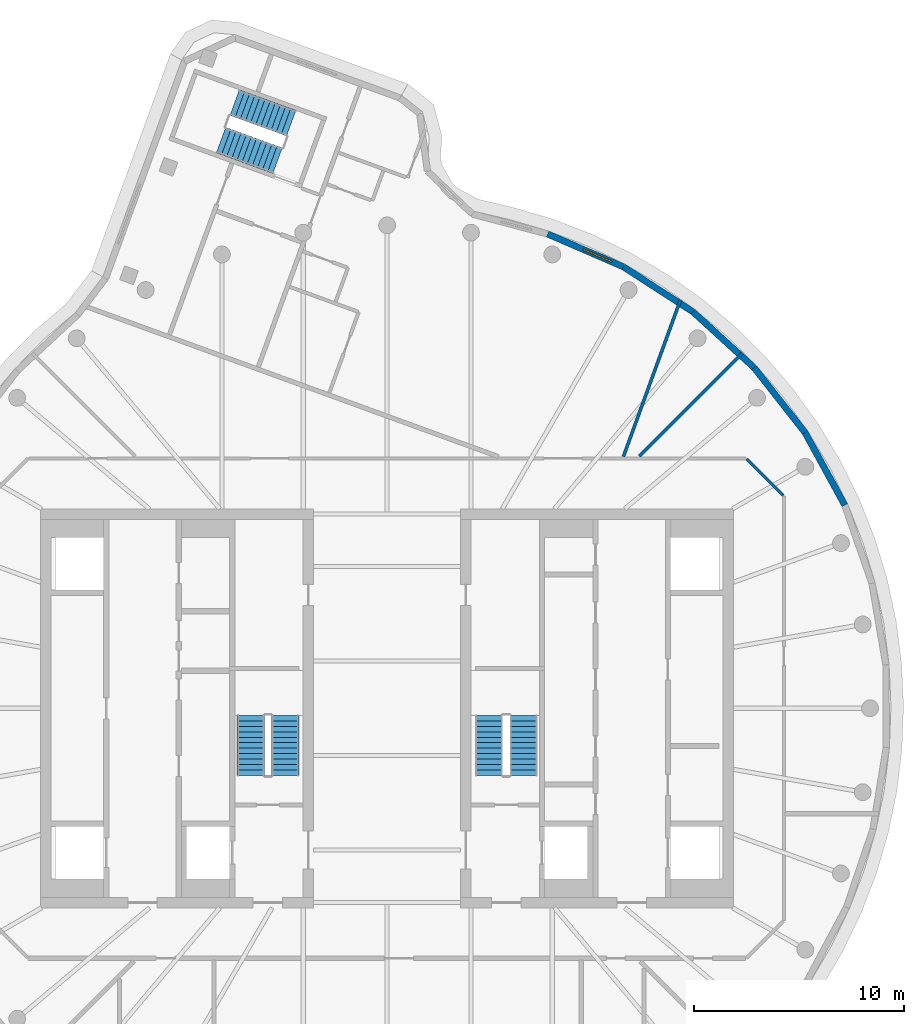
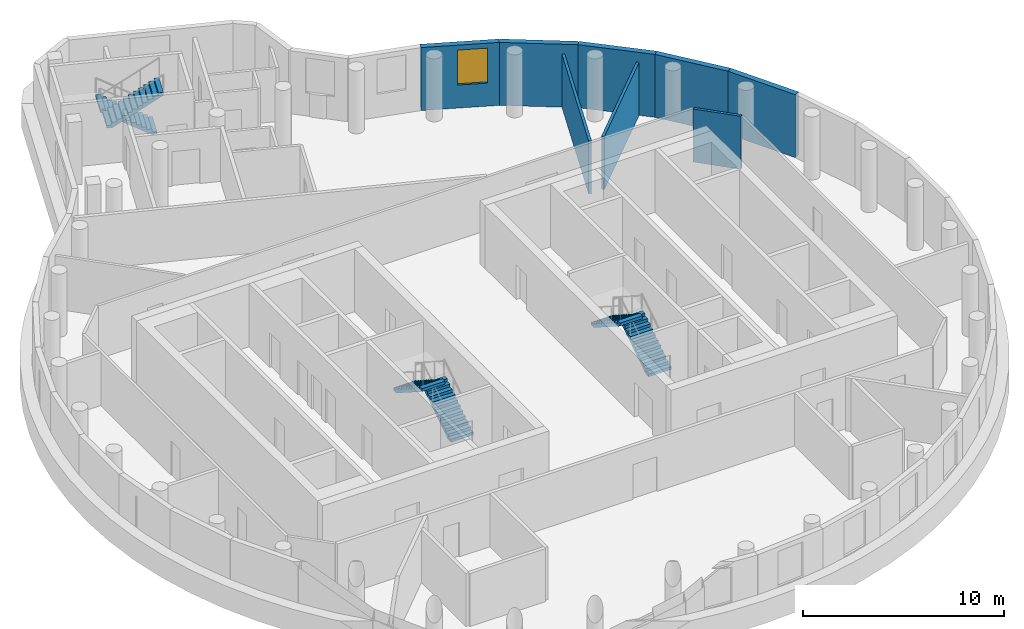
# One storey, part 6 of 7: 8 walls, 6 stair flights, 1 window, 1 opening, 3 elements without a shape of their own.
"""IFC4 building model written with IfcOpenShell, lengths in metres."""

import ifcopenshell
import ifcopenshell.guid

model = None  # the IFC model being written
_history = None  # IfcOwnerHistory: only IFC2X3 demands one
_inside = {}  # id of a spatial element -> (the spatial element, [elements in it])
_under = {}  # id of a project, library or spatial element -> (it, [spatial elements below it])
_declared = {}  # id of a project -> (the project, [libraries it declares])
_typed = {}  # id of a type object -> (the type object, [elements of that type])
_made_of = {}  # id of a material, layer set ... -> (it, [elements and type objects made of it])


def new_model(schema):
    """Start an empty IFC model of exactly this schema.

    Asked for "IFC4X3", IfcOpenShell would pick the latest addendum, in which some entities
    have other attributes; the version numbers below select the first issue.
    IFC2X3 requires an IfcOwnerHistory on every rooted entity: one is made here for all.
    """
    global model, _history
    if schema == "IFC4X3":
        model = ifcopenshell.file(schema_version=(4, 3, 0, 0))
    else:
        model = ifcopenshell.file(schema=schema)
    _inside.clear()
    _under.clear()
    _declared.clear()
    _typed.clear()
    _made_of.clear()
    _history = None
    if model.schema == "IFC2X3":
        org = make("IfcOrganization", Name="unknown")
        user = make(
            "IfcPersonAndOrganization",
            ThePerson=make("IfcPerson", FamilyName="unknown"),
            TheOrganization=org,
        )
        app = make(
            "IfcApplication",
            ApplicationDeveloper=org,
            Version="unknown",
            ApplicationFullName="unknown",
            ApplicationIdentifier="unknown",
        )
        _history = make(
            "IfcOwnerHistory",
            OwningUser=user,
            OwningApplication=app,
            ChangeAction="ADDED",
            CreationDate=0,
        )
    return model


def make(cls, **values):
    """One entity of the class cls with the attributes given. An attribute that is None is left unset."""
    return model.create_entity(
        cls, **{name: value for name, value in values.items() if value is not None}
    )


def rooted(cls, **values):
    """An entity with a GlobalId (a new one), such as an element, a storey or a relation."""
    return make(cls, GlobalId=ifcopenshell.guid.new(), OwnerHistory=_history, **values)


def si_unit(unit_type, name, prefix=None):
    """IfcSIUnit, for example si_unit("LENGTHUNIT", "METRE", prefix="MILLI")."""
    return make("IfcSIUnit", UnitType=unit_type, Prefix=prefix, Name=name)


def assignment(units):
    """IfcUnitAssignment: the units of a project."""
    return None if units is None else make("IfcUnitAssignment", Units=units)


def point(xyz):
    """IfcCartesianPoint."""
    return None if xyz is None else make("IfcCartesianPoint", Coordinates=xyz)


def direction(xyz):
    """IfcDirection."""
    return None if xyz is None else make("IfcDirection", DirectionRatios=xyz)


def frame(location, z_axis=None, x_axis=None):
    """IfcAxis2Placement3D, a coordinate frame: its origin and axes. An axis left out is left unset."""
    return make(
        "IfcAxis2Placement3D",
        Location=point(location),
        Axis=direction(z_axis),
        RefDirection=direction(x_axis),
    )


def frame_2d(location, x_axis=None):
    """IfcAxis2Placement2D, a coordinate frame in the plane: its origin and x axis."""
    return make(
        "IfcAxis2Placement2D", Location=point(location), RefDirection=direction(x_axis)
    )


def origin():
    """The frame at (0, 0, 0) with its axes left unset."""
    return frame((0.0, 0.0, 0.0))


def place(relative_to, where):
    """IfcLocalPlacement: puts the frame where relative to a parent placement (None: the world)."""
    return make(
        "IfcLocalPlacement", PlacementRelTo=relative_to, RelativePlacement=where
    )


def context(
    kind, dimensions, precision=None, world=None, true_north=None, identifier=None
):
    """IfcGeometricRepresentationContext, for example the 3D "Model" context."""
    return make(
        "IfcGeometricRepresentationContext",
        ContextIdentifier=identifier,
        ContextType=kind,
        CoordinateSpaceDimension=dimensions,
        Precision=precision,
        WorldCoordinateSystem=world,
        TrueNorth=true_north,
    )


def subcontext(parent, identifier, kind, view, scale=None):
    """IfcGeometricRepresentationSubContext, for example "Body" below "Model"."""
    return make(
        "IfcGeometricRepresentationSubContext",
        ContextIdentifier=identifier,
        ContextType=kind,
        ParentContext=parent,
        TargetScale=scale,
        TargetView=view,
    )


def project(units=None, contexts=None):
    """IfcProject with its units and contexts."""
    return rooted(
        "IfcProject",
        Name="project",
        RepresentationContexts=contexts,
        UnitsInContext=assignment(units),
    )


def spatial(cls, under=None, at=None, **own):
    """A site, building, storey or space (cls), placed at a placement, below another one or the project."""
    s = rooted(cls, ObjectPlacement=at, **own)
    if under is not None:
        _under.setdefault(under.id(), (under, []))[1].append(s)
    return s


def polyline(points):
    """IfcPolyline through the points."""
    return make("IfcPolyline", Points=[point(p) for p in points])


def profile(cls, at=None, kind="AREA", **sizes):
    """A parametric profile (cls). Its sizes go by their IFC names, for example OverallWidth=200.0."""
    return make(cls, ProfileType=kind, Position=at, **sizes)


def rectangle(**sizes):
    """IfcRectangleProfileDef."""
    return profile("IfcRectangleProfileDef", **sizes)


def outline(outer, holes=None, kind="AREA"):
    """IfcArbitraryClosedProfileDef: a profile drawn as a closed curve; with holes, ...WithVoids."""
    if holes is None:
        return make("IfcArbitraryClosedProfileDef", ProfileType=kind, OuterCurve=outer)
    return make(
        "IfcArbitraryProfileDefWithVoids",
        ProfileType=kind,
        OuterCurve=outer,
        InnerCurves=holes,
    )


def extrude(swept, where, along, depth):
    """IfcExtrudedAreaSolid: the profile swept, set in the frame where, extruded along a direction by depth."""
    return make(
        "IfcExtrudedAreaSolid",
        SweptArea=swept,
        Position=where,
        ExtrudedDirection=direction(along),
        Depth=depth,
    )


def shape(context_of_items, identifier, shape_type, items):
    """IfcShapeRepresentation: the items that make up one representation, for example the "Body"."""
    return make(
        "IfcShapeRepresentation",
        ContextOfItems=context_of_items,
        RepresentationIdentifier=identifier,
        RepresentationType=shape_type,
        Items=items,
    )


def material(Name=None, Category=None):
    """IfcMaterial."""
    return make("IfcMaterial", Name=Name, Category=Category)


def layer(
    of_material, thickness, ventilated=None, Name=None, Category=None, Priority=None
):
    """IfcMaterialLayer: one layer of a wall or slab, of a material (None: an air gap)."""
    return make(
        "IfcMaterialLayer",
        Material=of_material,
        LayerThickness=thickness,
        IsVentilated=ventilated,
        Name=Name,
        Category=Category,
        Priority=Priority,
    )


def layer_set(layers, Name=None):
    """IfcMaterialLayerSet."""
    return make("IfcMaterialLayerSet", MaterialLayers=layers, LayerSetName=Name)


def made_of(thing, what):
    """Note that an element or type object is made of a material, layer set ...; save() writes the relation."""
    if what is not None:
        _made_of.setdefault(what.id(), (what, []))[1].append(thing)
    return thing


def type_object(cls, material=None, **own):
    """A type object (cls), such as IfcWallType, which elements share."""
    return made_of(rooted(cls, **own), material)


def element(
    cls,
    number,
    at=None,
    inside=None,
    cuts=None,
    type_object=None,
    material=None,
    context=None,
    identifier="Body",
    shape_type=None,
    held_by="IfcProductDefinitionShape",
    body=None,
    shapes=None,
    **own,
):
    """One element of the class cls, such as IfcWall. Its Tag is "e" and its number.

    at: its placement. inside: the storey or other place that contains it. cuts: it is an
    opening in that element (IfcRelVoidsElement). A single representation is given by context,
    identifier, shape_type and body (its items); several are given by shapes. held_by: the class
    of the entity that holds the representations. save() writes the other relations.
    """
    e = rooted(cls, Tag="e%d" % number, ObjectPlacement=at, **own)
    if body is not None:
        shapes = [shape(context, identifier, shape_type, body)]
    if shapes is not None:
        e.Representation = make(held_by, Representations=shapes)
    if inside is not None:
        _inside.setdefault(inside.id(), (inside, []))[1].append(e)
    if cuts is not None:
        rooted(
            "IfcRelVoidsElement", RelatingBuildingElement=cuts, RelatedOpeningElement=e
        )
    if type_object is not None:
        _typed.setdefault(type_object.id(), (type_object, []))[1].append(e)
    return made_of(e, material)


def fill(opening, filler):
    """IfcRelFillsElement: the door or window that sits in an opening."""
    return rooted(
        "IfcRelFillsElement",
        RelatingOpeningElement=opening,
        RelatedBuildingElement=filler,
    )


def aggregate(whole, parts):
    """IfcRelAggregates: a whole, such as a stair, and the parts it consists of."""
    return rooted("IfcRelAggregates", RelatingObject=whole, RelatedObjects=parts)


def save(model, path):
    """Write the relations noted so far, then the file.

    IfcRelAggregates (storeys below a building ...), IfcRelContainedInSpatialStructure (elements
    in a storey), IfcRelDefinesByType, IfcRelAssociatesMaterial and IfcRelDeclares: one each for
    every whole, place, type object, material and project.
    """
    for whole, parts in _under.values():
        aggregate(whole, parts)
    for where, things in _inside.values():
        rooted(
            "IfcRelContainedInSpatialStructure",
            RelatedElements=things,
            RelatingStructure=where,
        )
    for kind, things in _typed.values():
        rooted("IfcRelDefinesByType", RelatedObjects=things, RelatingType=kind)
    for what, things in _made_of.values():
        rooted("IfcRelAssociatesMaterial", RelatedObjects=things, RelatingMaterial=what)
    for by, libraries in _declared.values():
        rooted("IfcRelDeclares", RelatingContext=by, RelatedDefinitions=libraries)
    model.write(path)


model = new_model("IFC4")

# Units and contexts
model_context = context("Model", 3, precision=1e-05, world=origin(), true_north=direction((0.0, 1.0)))
body_context = subcontext(model_context, "Body", "Model", "MODEL_VIEW")
ifc_project = project(units=[si_unit("LENGTHUNIT", "METRE"), si_unit("AREAUNIT", "SQUARE_METRE"), si_unit("VOLUMEUNIT", "CUBIC_METRE"), si_unit("PLANEANGLEUNIT", "RADIAN"), si_unit("MASSUNIT", "GRAM", prefix="KILO")], contexts=[model_context])

# Site, building, storey
site_placement = place(None, origin())
site = spatial("IfcSite", under=ifc_project, at=site_placement, CompositionType="ELEMENT")
building_placement = place(site_placement, origin())
building = spatial("IfcBuilding", under=site, at=building_placement, Name="Tamarind Cross Interchange Tower", CompositionType="ELEMENT")
storey_placement = place(building_placement, frame((0.0, 0.0, 305.39990234375)))
storey = spatial("IfcBuildingStorey", under=building, at=storey_placement, Name="L75", CompositionType="ELEMENT", Elevation=305.39990234375)

# Walls
ifc_material_1 = material(Name="Gypsum board partition on steel studs", Category="steel")
ifc_layer_1 = layer(ifc_material_1, 0.14990234375)
ifc_layer_set_1 = layer_set([ifc_layer_1], Name="Gypsum board partition on steel studs")
wall_type_1 = type_object("IfcWallType", Name="Partition 150 mm EI 120", PredefinedType="PARTITIONING", material=ifc_layer_set_1)
wall_1_placement = place(storey_placement, frame((17.12841796875, 11.87158203125, 0.0), z_axis=(0.0, 0.0, 1.0), x_axis=(0.707106781187, -0.707106781187, 0.0)))
element("IfcWall", 1, at=wall_1_placement, inside=storey, type_object=wall_type_1, Name="Partition L75-004", PredefinedType="PARTITIONING", context=body_context, shape_type="SweptSolid", body=[
    extrude(rectangle(XDim=2.465087890625, YDim=0.14990234375, at=frame_2d((1.232421875, 0.0))), origin(), (0.0, 0.0, 1.0), 3.22021484375),
])
wall_2_placement = place(storey_placement, frame((12.009521484375, 12.009521484375, 0.0), z_axis=(0.0, 0.0, 1.0), x_axis=(0.707106781187, 0.707106781187, 0.0)))
element("IfcWall", 2, at=wall_2_placement, inside=storey, type_object=wall_type_1, Name="Partition L75-021", PredefinedType="PARTITIONING", context=body_context, shape_type="SweptSolid", body=[
    extrude(rectangle(XDim=6.954345703125, YDim=0.14990234375, at=frame_2d((3.47705078125, 0.0))), origin(), (0.0, 0.0, 1.0), 3.22021484375),
])
wall_3_placement = place(storey_placement, frame((11.25390625, 11.984619140625, 0.0), z_axis=(0.0, 0.0, 1.0), x_axis=(0.341898627175, 0.93973684015, 0.0)))
element("IfcWall", 3, at=wall_3_placement, inside=storey, type_object=wall_type_1, Name="Partition L75-031", PredefinedType="PARTITIONING", context=body_context, shape_type="SweptSolid", body=[
    extrude(rectangle(XDim=7.938232421875, YDim=0.14990234375, at=frame_2d((3.96923828125, 0.0))), origin(), (0.0, 0.0, 1.0), 3.22021484375),
])
ifc_material_2 = material(Name="Precast concrete C40", Category="concrete")
ifc_layer_2 = layer(ifc_material_2, 0.300048828125)
ifc_layer_set_2 = layer_set([ifc_layer_2], Name="Precast concrete C40")
wall_type_2 = type_object("IfcWallType", Name="Plant louvre wall", PredefinedType="SOLIDWALL", material=ifc_layer_set_2)
wall_4_placement = place(storey_placement, frame((21.7958984375, 9.672607421875, 0.0), z_axis=(0.0, 0.0, 1.0), x_axis=(-0.479742253376, 0.877409465601, 0.0)))
element("IfcWall", 4, at=wall_4_placement, inside=storey, type_object=wall_type_2, Name="EXW-L75-02-28", PredefinedType="SOLIDWALL", context=body_context, shape_type="SweptSolid", body=[
    extrude(rectangle(XDim=3.9384765625, YDim=0.300048828125, at=frame_2d((1.96923828125, 0.0))), origin(), (0.0, 0.0, 1.0), 3.820068359375),
])
wall_5_placement = place(storey_placement, frame((19.906494140625, 13.128173828125, 0.0), z_axis=(0.0, 0.0, 1.0), x_axis=(-0.617577851206, 0.786509756901, 0.0)))
element("IfcWall", 5, at=wall_5_placement, inside=storey, type_object=wall_type_2, Name="EXW-L75-02-29", PredefinedType="SOLIDWALL", context=body_context, shape_type="SweptSolid", body=[
    extrude(rectangle(XDim=3.938232421875, YDim=0.300048828125, at=frame_2d((1.96923828125, 0.0))), origin(), (0.0, 0.0, 1.0), 3.820068359375),
])
wall_6_placement = place(storey_placement, frame((17.474365234375, 16.2255859375, 0.0), z_axis=(0.0, 0.0, 1.0), x_axis=(-0.738634435884, 0.674106200926, 0.0)))
element("IfcWall", 6, at=wall_6_placement, inside=storey, type_object=wall_type_2, Name="EXW-L75-02-30", PredefinedType="SOLIDWALL", context=body_context, shape_type="SweptSolid", body=[
    extrude(rectangle(XDim=3.9384765625, YDim=0.300048828125, at=frame_2d((1.96923828125, 0.0))), origin(), (0.0, 0.0, 1.0), 3.820068359375),
])
wall_7_placement = place(storey_placement, frame((14.565185546875, 18.880615234375, 0.0), z_axis=(0.0, 0.0, 1.0), x_axis=(-0.839498632024, 0.54336180104, 0.0)))
element("IfcWall", 7, at=wall_7_placement, inside=storey, type_object=wall_type_2, Name="EXW-L75-02-31", PredefinedType="SOLIDWALL", context=body_context, shape_type="SweptSolid", body=[
    extrude(rectangle(XDim=3.938232421875, YDim=0.300048828125, at=frame_2d((1.96923828125, 0.0))), origin(), (0.0, 0.0, 1.0), 3.820068359375),
])

# Wall, opening, window
wall_8_placement = place(storey_placement, frame((11.259033203125, 21.0205078125, 0.0), z_axis=(0.0, 0.0, 1.0), x_axis=(-0.917505110173, 0.397723990735, 0.0)))
wall_8 = element("IfcWall", 8, at=wall_8_placement, inside=storey, type_object=wall_type_2, Name="EXW-L75-02-32", PredefinedType="SOLIDWALL", context=body_context, shape_type="SweptSolid", body=[
    extrude(rectangle(XDim=3.9384765625, YDim=0.300048828125, at=frame_2d((1.96923828125, 0.0))), origin(), (0.0, 0.0, 1.0), 3.820068359375),
])
opening_placement = place(wall_8_placement, frame((0.60009765625, 0.0, 1.39990234375)))
opening = element("IfcOpeningElement", 9, at=opening_placement, cuts=wall_8, Name="Opening W2", PredefinedType="OPENING", context=body_context, shape_type="SweptSolid", body=[
    extrude(rectangle(XDim=1.498291015625, YDim=2.1201171875, at=frame_2d((0.7490234375, 1.06005859375))), frame((0.0, 0.159912109375, 0.0), z_axis=(0.0, -1.0, 0.0), x_axis=(1.0, 0.0, 0.0)), (0.0, 0.0, 1.0), 0.320068359375),
])
ifc_material_3 = material(Name="Aluminium louvre", Category="aluminium")
window_type = type_object("IfcWindowType", Name="Plant louvre bank", PartitioningType="SINGLE_PANEL", PredefinedType="WINDOW", material=ifc_material_3)
window_placement = place(opening_placement, origin())
window = element("IfcWindow", 10, at=window_placement, inside=storey, type_object=window_type, Name="WIN-L75-02-32", OverallHeight=2.1201171875, OverallWidth=1.498291015625, PartitioningType="SINGLE_PANEL", PredefinedType="WINDOW", context=body_context, shape_type="SweptSolid", body=[
    extrude(rectangle(XDim=1.498291015625, YDim=2.1201171875, at=frame_2d((0.7490234375, 1.06005859375))), frame((0.0, 0.030029296875, 0.0), z_axis=(0.0, -1.0, 0.0), x_axis=(1.0, 0.0, 0.0)), (0.0, 0.0, 1.0), 0.06005859375),
])
fill(opening, window)

# Stair, stair flights
ifc_material_4 = material(Name="Exit stair")
stair_type = type_object("IfcStairType", Name="Exit stair", PredefinedType="HALF_TURN_STAIR", material=ifc_material_4)
stair_1_placement = place(storey_placement, origin())
stair_1 = element("IfcStair", 11, at=stair_1_placement, inside=storey, type_object=stair_type, Name="L75 exit stair ST1", PredefinedType="HALF_TURN_STAIR")
ifc_material_5 = material(Name="Exit stair flight")
stair_flight_type = type_object("IfcStairFlightType", Name="Exit stair flight", PredefinedType="STRAIGHT", material=ifc_material_5)
stair_flight_1_placement = place(storey_placement, frame((-4.85009765625, -3.199951171875, 0.0), z_axis=(0.0, 0.0, 1.0), x_axis=(0.0, 1.0, 0.0)))
stair_flight_1 = element("IfcStairFlight", 12, at=stair_flight_1_placement, type_object=stair_flight_type, Name="ST1 flight 1", NumberOfRisers=12, NumberOfTreads=11, PredefinedType="STRAIGHT", RiserHeight=0.166666667, TreadLength=0.26, context=body_context, shape_type="SweptSolid", body=[
    extrude(outline(polyline([(0.0, 0.0), (0.0, 0.166748046875), (0.260009765625, 0.166748046875), (0.260009765625, 0.333251953125), (0.52001953125, 0.333251953125), (0.52001953125, 0.5), (0.780029296875, 0.5), (0.780029296875, 0.666748046875), (1.0400390625, 0.666748046875), (1.0400390625, 0.833251953125), (1.300048828125, 0.833251953125), (1.300048828125, 1.0), (1.56005859375, 1.0), (1.56005859375, 1.166748046875), (1.820068359375, 1.166748046875), (1.820068359375, 1.333251953125), (2.080078125, 1.333251953125), (2.080078125, 1.5), (2.340087890625, 1.5), (2.340087890625, 1.666748046875), (2.60009765625, 1.666748046875), (2.60009765625, 1.833251953125), (2.860107421875, 1.833251953125), (2.860107421875, 2.0), (2.860107421875, 1.6552734375), (0.27783203125, 0.0), (0.0, 0.0)])), frame((0.0, 0.64990234375, 0.0), z_axis=(0.0, -1.0, 0.0), x_axis=(1.0, 0.0, 0.0)), (0.0, 0.0, 1.0), 1.300048828125),
])
stair_flight_2_placement = place(storey_placement, frame((-6.5, -0.340087890625, 2.0), z_axis=(0.0, 0.0, 1.0), x_axis=(0.0, -1.0, 0.0)))
stair_flight_2 = element("IfcStairFlight", 13, at=stair_flight_2_placement, type_object=stair_flight_type, Name="ST1 flight 2", NumberOfRisers=12, NumberOfTreads=11, PredefinedType="STRAIGHT", RiserHeight=0.166666667, TreadLength=0.26, context=body_context, shape_type="SweptSolid", body=[
    extrude(outline(polyline([(0.0, 0.0), (0.0, 0.166748046875), (0.260009765625, 0.166748046875), (0.260009765625, 0.333251953125), (0.52001953125, 0.333251953125), (0.52001953125, 0.5), (0.780029296875, 0.5), (0.780029296875, 0.666748046875), (1.0400390625, 0.666748046875), (1.0400390625, 0.833251953125), (1.300048828125, 0.833251953125), (1.300048828125, 1.0), (1.56005859375, 1.0), (1.56005859375, 1.166748046875), (1.820068359375, 1.166748046875), (1.820068359375, 1.333251953125), (2.080078125, 1.333251953125), (2.080078125, 1.5), (2.340087890625, 1.5), (2.340087890625, 1.666748046875), (2.60009765625, 1.666748046875), (2.60009765625, 1.833251953125), (2.860107421875, 1.833251953125), (2.860107421875, 2.0), (2.860107421875, 1.6552734375), (0.27783203125, 0.0), (0.0, 0.0)])), frame((0.0, 0.64990234375, 0.0), z_axis=(0.0, -1.0, 0.0), x_axis=(1.0, 0.0, 0.0)), (0.0, 0.0, 1.0), 1.300048828125),
])
aggregate(stair_1, [stair_flight_1, stair_flight_2])

stair_2_placement = place(storey_placement, origin())
stair_2 = element("IfcStair", 14, at=stair_2_placement, inside=storey, type_object=stair_type, Name="L75 exit stair ST2", PredefinedType="HALF_TURN_STAIR")
stair_flight_3_placement = place(storey_placement, frame((6.5, -3.199951171875, 0.0), z_axis=(0.0, 0.0, 1.0), x_axis=(0.0, 1.0, 0.0)))
stair_flight_3 = element("IfcStairFlight", 15, at=stair_flight_3_placement, type_object=stair_flight_type, Name="ST2 flight 1", NumberOfRisers=12, NumberOfTreads=11, PredefinedType="STRAIGHT", RiserHeight=0.166666667, TreadLength=0.26, context=body_context, shape_type="SweptSolid", body=[
    extrude(outline(polyline([(0.0, 0.0), (0.0, 0.166748046875), (0.260009765625, 0.166748046875), (0.260009765625, 0.333251953125), (0.52001953125, 0.333251953125), (0.52001953125, 0.5), (0.780029296875, 0.5), (0.780029296875, 0.666748046875), (1.0400390625, 0.666748046875), (1.0400390625, 0.833251953125), (1.300048828125, 0.833251953125), (1.300048828125, 1.0), (1.56005859375, 1.0), (1.56005859375, 1.166748046875), (1.820068359375, 1.166748046875), (1.820068359375, 1.333251953125), (2.080078125, 1.333251953125), (2.080078125, 1.5), (2.340087890625, 1.5), (2.340087890625, 1.666748046875), (2.60009765625, 1.666748046875), (2.60009765625, 1.833251953125), (2.860107421875, 1.833251953125), (2.860107421875, 2.0), (2.860107421875, 1.6552734375), (0.27783203125, 0.0), (0.0, 0.0)])), frame((0.0, 0.64990234375, 0.0), z_axis=(0.0, -1.0, 0.0), x_axis=(1.0, 0.0, 0.0)), (0.0, 0.0, 1.0), 1.300048828125),
])
stair_flight_4_placement = place(storey_placement, frame((4.85009765625, -0.340087890625, 2.0), z_axis=(0.0, 0.0, 1.0), x_axis=(0.0, -1.0, 0.0)))
stair_flight_4 = element("IfcStairFlight", 16, at=stair_flight_4_placement, type_object=stair_flight_type, Name="ST2 flight 2", NumberOfRisers=12, NumberOfTreads=11, PredefinedType="STRAIGHT", RiserHeight=0.166666667, TreadLength=0.26, context=body_context, shape_type="SweptSolid", body=[
    extrude(outline(polyline([(0.0, 0.0), (0.0, 0.166748046875), (0.260009765625, 0.166748046875), (0.260009765625, 0.333251953125), (0.52001953125, 0.333251953125), (0.52001953125, 0.5), (0.780029296875, 0.5), (0.780029296875, 0.666748046875), (1.0400390625, 0.666748046875), (1.0400390625, 0.833251953125), (1.300048828125, 0.833251953125), (1.300048828125, 1.0), (1.56005859375, 1.0), (1.56005859375, 1.166748046875), (1.820068359375, 1.166748046875), (1.820068359375, 1.333251953125), (2.080078125, 1.333251953125), (2.080078125, 1.5), (2.340087890625, 1.5), (2.340087890625, 1.666748046875), (2.60009765625, 1.666748046875), (2.60009765625, 1.833251953125), (2.860107421875, 1.833251953125), (2.860107421875, 2.0), (2.860107421875, 1.6552734375), (0.27783203125, 0.0), (0.0, 0.0)])), frame((0.0, 0.64990234375, 0.0), z_axis=(0.0, -1.0, 0.0), x_axis=(1.0, 0.0, 0.0)), (0.0, 0.0, 1.0), 1.300048828125),
])
aggregate(stair_2, [stair_flight_3, stair_flight_4])

stair_3_placement = place(storey_placement, origin())
stair_3 = element("IfcStair", 17, at=stair_3_placement, inside=storey, type_object=stair_type, Name="L75 exit stair ST4", PredefinedType="HALF_TURN_STAIR")
stair_flight_5_placement = place(storey_placement, frame((-4.5693359375, 27.866455078125, 0.0), z_axis=(0.0, 0.0, 1.0), x_axis=(-0.939702171424, 0.341993902024, 0.0)))
stair_flight_5 = element("IfcStairFlight", 18, at=stair_flight_5_placement, type_object=stair_flight_type, Name="ST4 flight 1", NumberOfRisers=12, NumberOfTreads=11, PredefinedType="STRAIGHT", RiserHeight=0.166666667, TreadLength=0.26, context=body_context, shape_type="SweptSolid", body=[
    extrude(outline(polyline([(0.0, 0.0), (0.0, 0.166748046875), (0.260009765625, 0.166748046875), (0.260009765625, 0.333251953125), (0.52001953125, 0.333251953125), (0.52001953125, 0.5), (0.780029296875, 0.5), (0.780029296875, 0.666748046875), (1.0400390625, 0.666748046875), (1.0400390625, 0.833251953125), (1.300048828125, 0.833251953125), (1.300048828125, 1.0), (1.56005859375, 1.0), (1.56005859375, 1.166748046875), (1.820068359375, 1.166748046875), (1.820068359375, 1.333251953125), (2.080078125, 1.333251953125), (2.080078125, 1.5), (2.340087890625, 1.5), (2.340087890625, 1.666748046875), (2.60009765625, 1.666748046875), (2.60009765625, 1.833251953125), (2.860107421875, 1.833251953125), (2.860107421875, 2.0), (2.860107421875, 1.6552734375), (0.27783203125, 0.0), (0.0, 0.0)])), frame((0.0, 0.64990234375, 0.0), z_axis=(0.0, -1.0, 0.0), x_axis=(1.0, 0.0, 0.0)), (0.0, 0.0, 1.0), 1.300048828125),
])
stair_flight_6_placement = place(storey_placement, frame((-7.906494140625, 27.05908203125, 2.0), z_axis=(0.0, 0.0, 1.0), x_axis=(0.939702171424, -0.341993902024, 0.0)))
stair_flight_6 = element("IfcStairFlight", 19, at=stair_flight_6_placement, type_object=stair_flight_type, Name="ST4 flight 2", NumberOfRisers=12, NumberOfTreads=11, PredefinedType="STRAIGHT", RiserHeight=0.166666667, TreadLength=0.26, context=body_context, shape_type="SweptSolid", body=[
    extrude(outline(polyline([(0.0, 0.0), (0.0, 0.166748046875), (0.260009765625, 0.166748046875), (0.260009765625, 0.333251953125), (0.52001953125, 0.333251953125), (0.52001953125, 0.5), (0.780029296875, 0.5), (0.780029296875, 0.666748046875), (1.0400390625, 0.666748046875), (1.0400390625, 0.833251953125), (1.300048828125, 0.833251953125), (1.300048828125, 1.0), (1.56005859375, 1.0), (1.56005859375, 1.166748046875), (1.820068359375, 1.166748046875), (1.820068359375, 1.333251953125), (2.080078125, 1.333251953125), (2.080078125, 1.5), (2.340087890625, 1.5), (2.340087890625, 1.666748046875), (2.60009765625, 1.666748046875), (2.60009765625, 1.833251953125), (2.860107421875, 1.833251953125), (2.860107421875, 2.0), (2.860107421875, 1.6552734375), (0.27783203125, 0.0), (0.0, 0.0)])), frame((0.0, 0.64990234375, 0.0), z_axis=(0.0, -1.0, 0.0), x_axis=(1.0, 0.0, 0.0)), (0.0, 0.0, 1.0), 1.300048828125),
])
aggregate(stair_3, [stair_flight_5, stair_flight_6])

save(model, "model.ifc")
